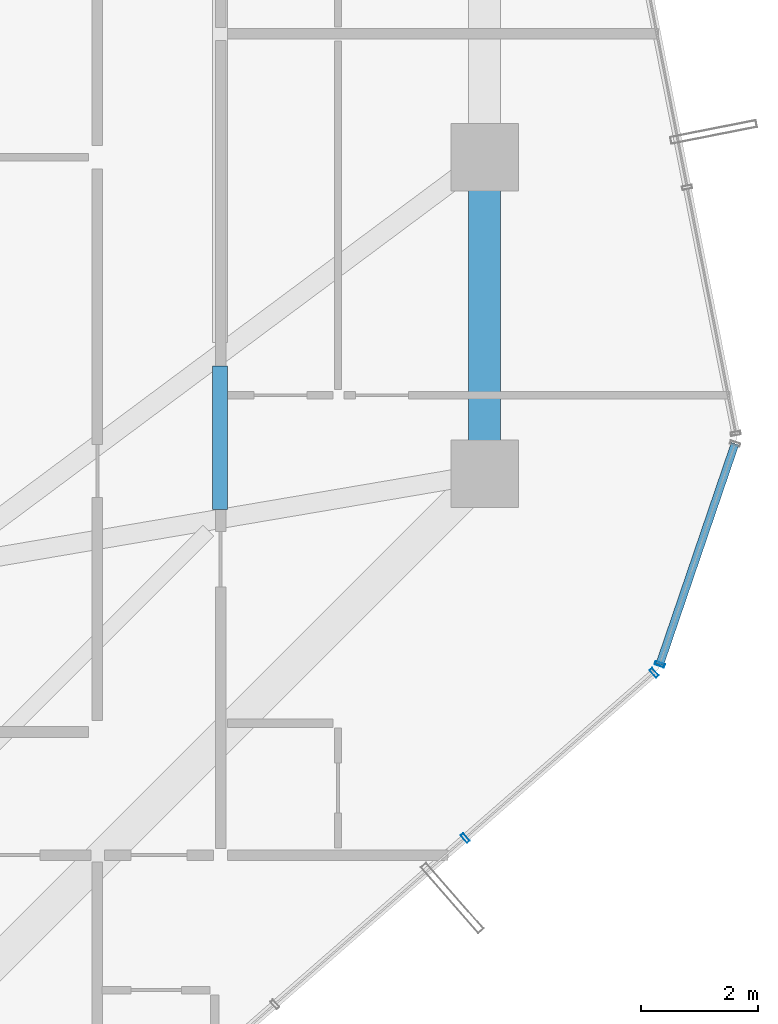
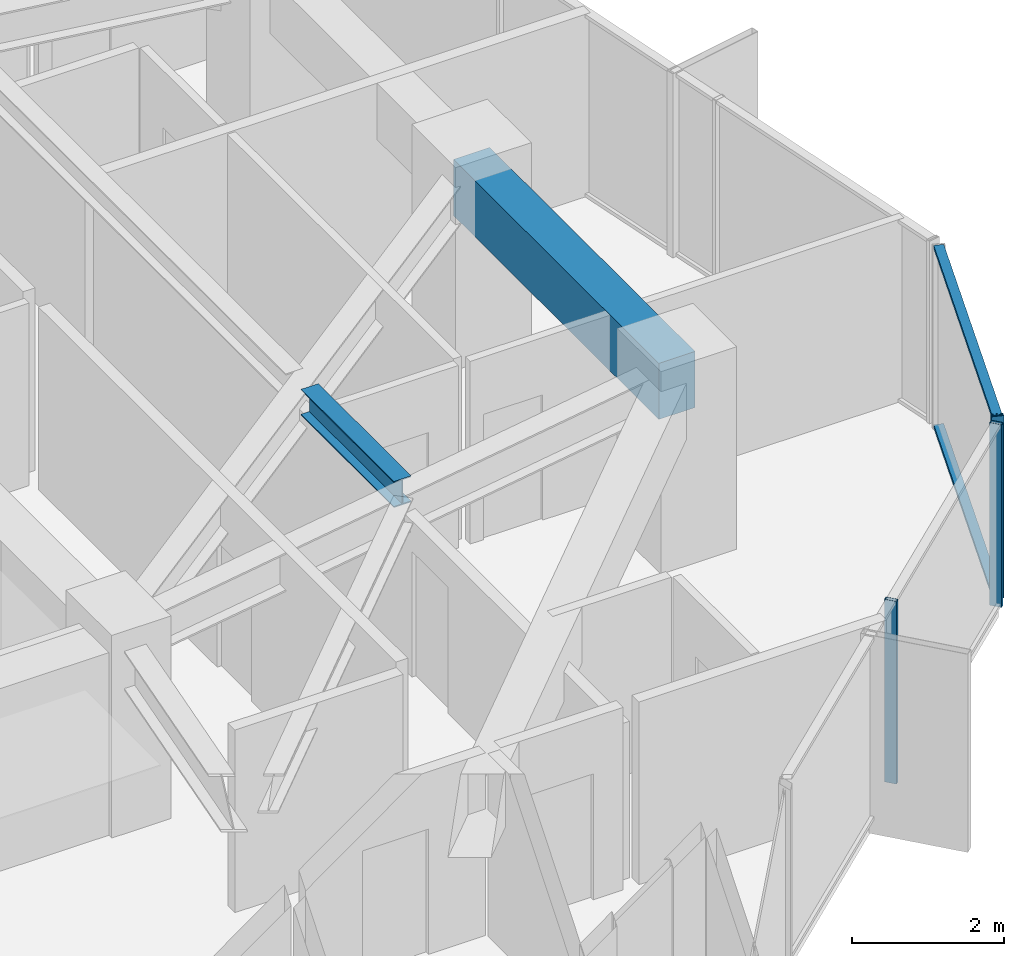
# One storey, part 17 of 36: 5 members, 2 beams, 2 elements without a shape of their own.
"""IFC4 building model written with IfcOpenShell, lengths in metres."""

import ifcopenshell
import ifcopenshell.guid

model = None  # the IFC model being written
_history = None  # IfcOwnerHistory: only IFC2X3 demands one
_inside = {}  # id of a spatial element -> (the spatial element, [elements in it])
_under = {}  # id of a project, library or spatial element -> (it, [spatial elements below it])
_declared = {}  # id of a project -> (the project, [libraries it declares])
_typed = {}  # id of a type object -> (the type object, [elements of that type])
_made_of = {}  # id of a material, layer set ... -> (it, [elements and type objects made of it])


def new_model(schema):
    """Start an empty IFC model of exactly this schema.

    Asked for "IFC4X3", IfcOpenShell would pick the latest addendum, in which some entities
    have other attributes; the version numbers below select the first issue.
    IFC2X3 requires an IfcOwnerHistory on every rooted entity: one is made here for all.
    """
    global model, _history
    if schema == "IFC4X3":
        model = ifcopenshell.file(schema_version=(4, 3, 0, 0))
    else:
        model = ifcopenshell.file(schema=schema)
    _inside.clear()
    _under.clear()
    _declared.clear()
    _typed.clear()
    _made_of.clear()
    _history = None
    if model.schema == "IFC2X3":
        org = make("IfcOrganization", Name="unknown")
        user = make(
            "IfcPersonAndOrganization",
            ThePerson=make("IfcPerson", FamilyName="unknown"),
            TheOrganization=org,
        )
        app = make(
            "IfcApplication",
            ApplicationDeveloper=org,
            Version="unknown",
            ApplicationFullName="unknown",
            ApplicationIdentifier="unknown",
        )
        _history = make(
            "IfcOwnerHistory",
            OwningUser=user,
            OwningApplication=app,
            ChangeAction="ADDED",
            CreationDate=0,
        )
    return model


def make(cls, **values):
    """One entity of the class cls with the attributes given. An attribute that is None is left unset."""
    return model.create_entity(
        cls, **{name: value for name, value in values.items() if value is not None}
    )


def rooted(cls, **values):
    """An entity with a GlobalId (a new one), such as an element, a storey or a relation."""
    return make(cls, GlobalId=ifcopenshell.guid.new(), OwnerHistory=_history, **values)


def si_unit(unit_type, name, prefix=None):
    """IfcSIUnit, for example si_unit("LENGTHUNIT", "METRE", prefix="MILLI")."""
    return make("IfcSIUnit", UnitType=unit_type, Prefix=prefix, Name=name)


def assignment(units):
    """IfcUnitAssignment: the units of a project."""
    return None if units is None else make("IfcUnitAssignment", Units=units)


def point(xyz):
    """IfcCartesianPoint."""
    return None if xyz is None else make("IfcCartesianPoint", Coordinates=xyz)


def direction(xyz):
    """IfcDirection."""
    return None if xyz is None else make("IfcDirection", DirectionRatios=xyz)


def frame(location, z_axis=None, x_axis=None):
    """IfcAxis2Placement3D, a coordinate frame: its origin and axes. An axis left out is left unset."""
    return make(
        "IfcAxis2Placement3D",
        Location=point(location),
        Axis=direction(z_axis),
        RefDirection=direction(x_axis),
    )


def frame_2d(location, x_axis=None):
    """IfcAxis2Placement2D, a coordinate frame in the plane: its origin and x axis."""
    return make(
        "IfcAxis2Placement2D", Location=point(location), RefDirection=direction(x_axis)
    )


def origin():
    """The frame at (0, 0, 0) with its axes left unset."""
    return frame((0.0, 0.0, 0.0))


def origin_2d():
    """The frame at (0, 0) in the plane with its x axis left unset."""
    return frame_2d((0.0, 0.0))


def place(relative_to, where):
    """IfcLocalPlacement: puts the frame where relative to a parent placement (None: the world)."""
    return make(
        "IfcLocalPlacement", PlacementRelTo=relative_to, RelativePlacement=where
    )


def context(
    kind, dimensions, precision=None, world=None, true_north=None, identifier=None
):
    """IfcGeometricRepresentationContext, for example the 3D "Model" context."""
    return make(
        "IfcGeometricRepresentationContext",
        ContextIdentifier=identifier,
        ContextType=kind,
        CoordinateSpaceDimension=dimensions,
        Precision=precision,
        WorldCoordinateSystem=world,
        TrueNorth=true_north,
    )


def subcontext(parent, identifier, kind, view, scale=None):
    """IfcGeometricRepresentationSubContext, for example "Body" below "Model"."""
    return make(
        "IfcGeometricRepresentationSubContext",
        ContextIdentifier=identifier,
        ContextType=kind,
        ParentContext=parent,
        TargetScale=scale,
        TargetView=view,
    )


def project(units=None, contexts=None):
    """IfcProject with its units and contexts."""
    return rooted(
        "IfcProject",
        Name="project",
        RepresentationContexts=contexts,
        UnitsInContext=assignment(units),
    )


def spatial(cls, under=None, at=None, **own):
    """A site, building, storey or space (cls), placed at a placement, below another one or the project."""
    s = rooted(cls, ObjectPlacement=at, **own)
    if under is not None:
        _under.setdefault(under.id(), (under, []))[1].append(s)
    return s


def profile(cls, at=None, kind="AREA", **sizes):
    """A parametric profile (cls). Its sizes go by their IFC names, for example OverallWidth=200.0."""
    return make(cls, ProfileType=kind, Position=at, **sizes)


def rectangle(**sizes):
    """IfcRectangleProfileDef."""
    return profile("IfcRectangleProfileDef", **sizes)


def hollow_rectangle(**sizes):
    """IfcRectangleHollowProfileDef."""
    return profile("IfcRectangleHollowProfileDef", **sizes)


def i_section(**sizes):
    """IfcIShapeProfileDef."""
    return profile("IfcIShapeProfileDef", **sizes)


def extrude(swept, where, along, depth):
    """IfcExtrudedAreaSolid: the profile swept, set in the frame where, extruded along a direction by depth."""
    return make(
        "IfcExtrudedAreaSolid",
        SweptArea=swept,
        Position=where,
        ExtrudedDirection=direction(along),
        Depth=depth,
    )


def shape(context_of_items, identifier, shape_type, items):
    """IfcShapeRepresentation: the items that make up one representation, for example the "Body"."""
    return make(
        "IfcShapeRepresentation",
        ContextOfItems=context_of_items,
        RepresentationIdentifier=identifier,
        RepresentationType=shape_type,
        Items=items,
    )


def source(mapping_origin, context_of_items, identifier, shape_type, items):
    """IfcRepresentationMap: a shape defined once, which mapped items show again and again."""
    return make(
        "IfcRepresentationMap",
        MappingOrigin=mapping_origin,
        MappedRepresentation=shape(context_of_items, identifier, shape_type, items),
    )


def transform(
    local_origin,
    x_axis=None,
    y_axis=None,
    z_axis=None,
    scale=None,
    scale2=None,
    scale3=None,
    uniform=True,
):
    """IfcCartesianTransformationOperator3D, or its non-uniform kind. x_axis, y_axis, z_axis: its Axis1, 2, 3."""
    if uniform:
        return make(
            "IfcCartesianTransformationOperator3D",
            Axis1=direction(x_axis),
            Axis2=direction(y_axis),
            LocalOrigin=point(local_origin),
            Scale=scale,
            Axis3=direction(z_axis),
        )
    return make(
        "IfcCartesianTransformationOperator3DnonUniform",
        Axis1=direction(x_axis),
        Axis2=direction(y_axis),
        LocalOrigin=point(local_origin),
        Scale=scale,
        Axis3=direction(z_axis),
        Scale2=scale2,
        Scale3=scale3,
    )


def mapped(mapping_source, mapping_target):
    """IfcMappedItem: shows the shape of a source again, moved by a transform."""
    return make(
        "IfcMappedItem", MappingSource=mapping_source, MappingTarget=mapping_target
    )


def material(Name=None, Category=None):
    """IfcMaterial."""
    return make("IfcMaterial", Name=Name, Category=Category)


def layer(
    of_material, thickness, ventilated=None, Name=None, Category=None, Priority=None
):
    """IfcMaterialLayer: one layer of a wall or slab, of a material (None: an air gap)."""
    return make(
        "IfcMaterialLayer",
        Material=of_material,
        LayerThickness=thickness,
        IsVentilated=ventilated,
        Name=Name,
        Category=Category,
        Priority=Priority,
    )


def layer_set(layers, Name=None):
    """IfcMaterialLayerSet."""
    return make("IfcMaterialLayerSet", MaterialLayers=layers, LayerSetName=Name)


def material_profile(
    of_material, cross_section, Name=None, Category=None, Priority=None
):
    """IfcMaterialProfile: a cross section and its material."""
    return make(
        "IfcMaterialProfile",
        Name=Name,
        Material=of_material,
        Profile=cross_section,
        Priority=Priority,
        Category=Category,
    )


def profile_set(profiles, Name=None, composite=None):
    """IfcMaterialProfileSet."""
    return make(
        "IfcMaterialProfileSet",
        Name=Name,
        MaterialProfiles=profiles,
        CompositeProfile=composite,
    )


def made_of(thing, what):
    """Note that an element or type object is made of a material, layer set ...; save() writes the relation."""
    if what is not None:
        _made_of.setdefault(what.id(), (what, []))[1].append(thing)
    return thing


def type_object(cls, material=None, **own):
    """A type object (cls), such as IfcWallType, which elements share."""
    return made_of(rooted(cls, **own), material)


def element(
    cls,
    number,
    at=None,
    inside=None,
    cuts=None,
    type_object=None,
    material=None,
    context=None,
    identifier="Body",
    shape_type=None,
    held_by="IfcProductDefinitionShape",
    body=None,
    shapes=None,
    **own,
):
    """One element of the class cls, such as IfcWall. Its Tag is "e" and its number.

    at: its placement. inside: the storey or other place that contains it. cuts: it is an
    opening in that element (IfcRelVoidsElement). A single representation is given by context,
    identifier, shape_type and body (its items); several are given by shapes. held_by: the class
    of the entity that holds the representations. save() writes the other relations.
    """
    e = rooted(cls, Tag="e%d" % number, ObjectPlacement=at, **own)
    if body is not None:
        shapes = [shape(context, identifier, shape_type, body)]
    if shapes is not None:
        e.Representation = make(held_by, Representations=shapes)
    if inside is not None:
        _inside.setdefault(inside.id(), (inside, []))[1].append(e)
    if cuts is not None:
        rooted(
            "IfcRelVoidsElement", RelatingBuildingElement=cuts, RelatedOpeningElement=e
        )
    if type_object is not None:
        _typed.setdefault(type_object.id(), (type_object, []))[1].append(e)
    return made_of(e, material)


def aggregate(whole, parts):
    """IfcRelAggregates: a whole, such as a stair, and the parts it consists of."""
    return rooted("IfcRelAggregates", RelatingObject=whole, RelatedObjects=parts)


def save(model, path):
    """Write the relations noted so far, then the file.

    IfcRelAggregates (storeys below a building ...), IfcRelContainedInSpatialStructure (elements
    in a storey), IfcRelDefinesByType, IfcRelAssociatesMaterial and IfcRelDeclares: one each for
    every whole, place, type object, material and project.
    """
    for whole, parts in _under.values():
        aggregate(whole, parts)
    for where, things in _inside.values():
        rooted(
            "IfcRelContainedInSpatialStructure",
            RelatedElements=things,
            RelatingStructure=where,
        )
    for kind, things in _typed.values():
        rooted("IfcRelDefinesByType", RelatedObjects=things, RelatingType=kind)
    for what, things in _made_of.values():
        rooted("IfcRelAssociatesMaterial", RelatedObjects=things, RelatingMaterial=what)
    for by, libraries in _declared.values():
        rooted("IfcRelDeclares", RelatingContext=by, RelatedDefinitions=libraries)
    model.write(path)


model = new_model("IFC4")

# Units and contexts
model_context = context("Model", 3, precision=1e-05, world=origin(), true_north=direction((0.0, 1.0)))
body_context = subcontext(model_context, "Body", "Model", "MODEL_VIEW")
ifc_project = project(units=[si_unit("LENGTHUNIT", "METRE"), si_unit("AREAUNIT", "SQUARE_METRE"), si_unit("VOLUMEUNIT", "CUBIC_METRE"), si_unit("PLANEANGLEUNIT", "RADIAN"), si_unit("MASSUNIT", "GRAM", prefix="KILO")], contexts=[model_context])

# Site, building, storey
site_placement = place(None, origin())
site = spatial("IfcSite", under=ifc_project, at=site_placement, CompositionType="ELEMENT")
building_placement = place(site_placement, origin())
building = spatial("IfcBuilding", under=site, at=building_placement, Name="Veraguas Prism Commons", CompositionType="ELEMENT")
storey_placement = place(building_placement, frame((0.0, 0.0, 166.300048828125)))
storey = spatial("IfcBuildingStorey", under=building, at=storey_placement, Name="L47", CompositionType="ELEMENT", Elevation=166.300048828125)

# Beams
ifc_material_1 = material(Name="Steel ASTM A992 Grade 50", Category="steel")
ifc_material_profile_1 = material_profile(ifc_material_1, i_section(OverallWidth=0.260986328125, OverallDepth=0.419921875, WebThickness=0.01171875, FlangeThickness=0.019287109375, at=origin_2d()), Name="W410X114")
ifc_profile_set_1 = profile_set([ifc_material_profile_1], Name="Steel ASTM A992 Grade 50")
beam_type_1 = type_object("IfcBeamType", Name="Lower Floor Joist W410x114", PredefinedType="JOIST", material=ifc_profile_set_1)
beam_1_placement = place(storey_placement, frame((35.68798828125, 17.996337890625, 2.719970703125), z_axis=(0.0, 1.0, 0.0), x_axis=(-1.0, 0.0, 0.0)))
element("IfcBeam", 1, at=beam_1_placement, inside=storey, type_object=beam_type_1, Name="Composite Floor Joist L47-JS01", PredefinedType="JOIST", context=body_context, shape_type="SweptSolid", body=[
    extrude(i_section(OverallWidth=0.260986328125, OverallDepth=0.419921875, WebThickness=0.01171875, FlangeThickness=0.019287109375, at=origin_2d()), origin(), (0.0, 0.0, 1.0), 2.441650390625),
])
ifc_material_2 = material(Name="Concrete C50/60", Category="concrete")
ifc_material_profile_2 = material_profile(ifc_material_2, rectangle(XDim=0.550048828125, YDim=0.89990234375, at=origin_2d()), Name="RC550X900")
ifc_profile_set_2 = profile_set([ifc_material_profile_2], Name="Concrete C50/60")
beam_type_2 = type_object("IfcBeamType", Name="Perimeter Spandrel Lower RC 550x900", PredefinedType="SPANDREL", material=ifc_profile_set_2)
beam_2_placement = place(storey_placement, frame((40.199951171875, 18.60009765625, 2.47998046875), z_axis=(0.0, 1.0, 0.0), x_axis=(-1.0, 0.0, 0.0)))
element("IfcBeam", 2, at=beam_2_placement, inside=storey, type_object=beam_type_2, Name="Perimeter Spandrel Beam L47-SP01", PredefinedType="SPANDREL", context=body_context, shape_type="SweptSolid", body=[
    extrude(rectangle(XDim=0.550048828125, YDim=0.89990234375, at=origin_2d()), origin(), (0.0, 0.0, 1.0), 5.39990234375),
])

# Curtain wall, members
ifc_material_3 = material(Name="Anodised aluminium EN AW-6063 T6", Category="aluminium")
ifc_layer = layer(ifc_material_3, 0.169921875, Name="Unitised Flush Curtain Wall Zone 2", Category="aluminium")
ifc_layer_set = layer_set([ifc_layer], Name="Anodised aluminium EN AW-6063 T6")
curtain_wall_type = type_object("IfcCurtainWallType", Name="Unitised Flush Curtain Wall Zone 2", PredefinedType="NOTDEFINED", material=ifc_layer_set)
curtain_wall_1_placement = place(storey_placement, origin())
curtain_wall_1 = element("IfcCurtainWall", 3, at=curtain_wall_1_placement, inside=storey, type_object=curtain_wall_type, Name="Tower Facade Curtain Wall L47-F5", PredefinedType="NOTDEFINED")
ifc_material_profile_3 = material_profile(ifc_material_3, hollow_rectangle(XDim=0.06005859375, YDim=0.169921875, WallThickness=0.00390625, at=origin_2d()), Name="AL60X170X4")
ifc_profile_set_3 = profile_set([ifc_material_profile_3], Name="Anodised aluminium EN AW-6063 T6")
member_type_1 = type_object("IfcMemberType", Name="Curtain Wall Mullion Lower AL 60x170x4", PredefinedType="MULLION", material=ifc_profile_set_3)
shared_shape_1 = source(origin(), body_context, "Body", "SweptSolid", [
    extrude(hollow_rectangle(XDim=0.06005859375, YDim=0.169921875, WallThickness=0.00390625, at=origin_2d()), origin(), (0.0, 0.0, 1.0), 2.929931640625),
])
member_1_placement = place(storey_placement, frame((39.868896484375, 12.393798828125, 0.0), z_axis=(0.0, 0.0, 1.0), x_axis=(0.752872280062, 0.658166642967, 0.0)))
member_1 = element("IfcMember", 4, at=member_1_placement, type_object=member_type_1, Name="CW-Z2 Mullion 4", PredefinedType="MULLION", context=body_context, shape_type="MappedRepresentation", body=[
    mapped(shared_shape_1, transform((0.0, 0.0, 0.0), scale=1.0)),
])
member_2_placement = place(storey_placement, frame((43.09033203125, 15.209716796875, 0.0), z_axis=(0.0, 0.0, 1.0), x_axis=(0.752872280062, 0.658166642967, 0.0)))
member_2 = element("IfcMember", 5, at=member_2_placement, type_object=member_type_1, Name="CW-Z2 Mullion 5", PredefinedType="MULLION", context=body_context, shape_type="MappedRepresentation", body=[
    mapped(shared_shape_1, transform((0.0, 0.0, 0.0), scale=1.0)),
])
aggregate(curtain_wall_1, [member_1, member_2])

curtain_wall_2_placement = place(storey_placement, origin())
curtain_wall_2 = element("IfcCurtainWall", 6, at=curtain_wall_2_placement, inside=storey, type_object=curtain_wall_type, Name="Chamfer Curtain Wall L47-C6", PredefinedType="NOTDEFINED")
member_3_placement = place(storey_placement, frame((43.18701171875, 15.354248046875, 0.0), z_axis=(0.0, 0.0, 1.0), x_axis=(0.322929806142, 0.946422918311, 0.0)))
member_3 = element("IfcMember", 7, at=member_3_placement, type_object=member_type_1, Name="CW-Z2 Mullion 1", PredefinedType="MULLION", context=body_context, shape_type="MappedRepresentation", body=[
    mapped(shared_shape_1, transform((0.0, 0.0, 0.0), scale=1.0)),
])
ifc_material_profile_4 = material_profile(ifc_material_3, hollow_rectangle(XDim=0.054931640625, YDim=0.135009765625, WallThickness=0.0029296875, at=origin_2d()), Name="AL55X135X3")
ifc_profile_set_4 = profile_set([ifc_material_profile_4], Name="Anodised aluminium EN AW-6063 T6")
member_type_2 = type_object("IfcMemberType", Name="Curtain Wall Transom Standard AL 55x135x3", PredefinedType="USERDEFINED", material=ifc_profile_set_4)
shared_shape_2 = source(origin(), body_context, "Body", "SweptSolid", [
    extrude(hollow_rectangle(XDim=0.054931640625, YDim=0.135009765625, WallThickness=0.0029296875, at=origin_2d()), origin(), (0.0, 0.0, 1.0), 3.97314453125),
])
member_4_placement = place(storey_placement, frame((43.18701171875, 15.354248046875, 0.02734375), z_axis=(0.322966675309, 0.946410337348, 0.0), x_axis=(0.0, 0.0, 1.0)))
member_4 = element("IfcMember", 8, at=member_4_placement, type_object=member_type_2, Name="CW-Z2 Transom 1", ObjectType="TRANSOM", PredefinedType="USERDEFINED", context=body_context, shape_type="MappedRepresentation", body=[
    mapped(shared_shape_2, transform((0.0, 0.0, 0.0), scale=1.0)),
])
member_5_placement = place(storey_placement, frame((43.18701171875, 15.354248046875, 2.90234375), z_axis=(0.322966675309, 0.946410337348, 0.0), x_axis=(0.0, 0.0, 1.0)))
member_5 = element("IfcMember", 9, at=member_5_placement, type_object=member_type_2, Name="CW-Z2 Transom 2", ObjectType="TRANSOM", PredefinedType="USERDEFINED", context=body_context, shape_type="MappedRepresentation", body=[
    mapped(shared_shape_2, transform((0.0, 0.0, 0.0), scale=1.0)),
])
aggregate(curtain_wall_2, [member_3, member_4, member_5])

save(model, "model.ifc")
